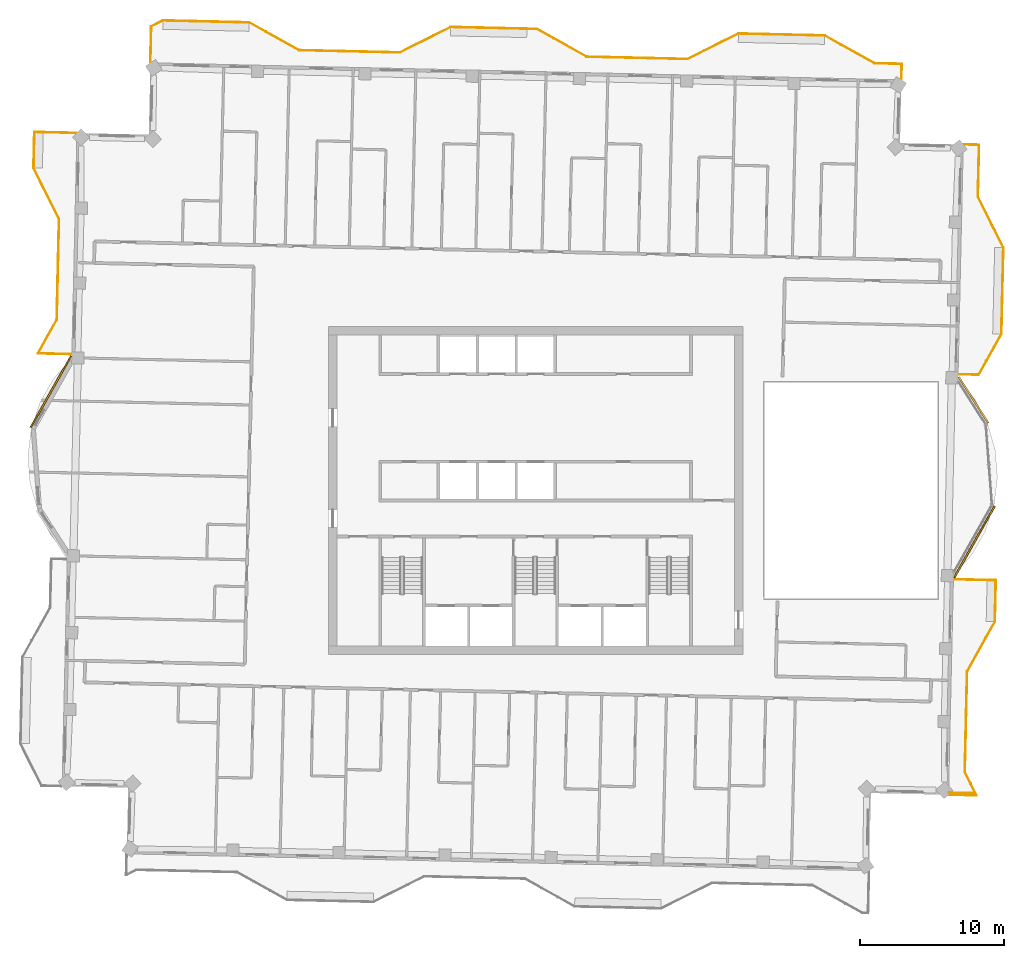
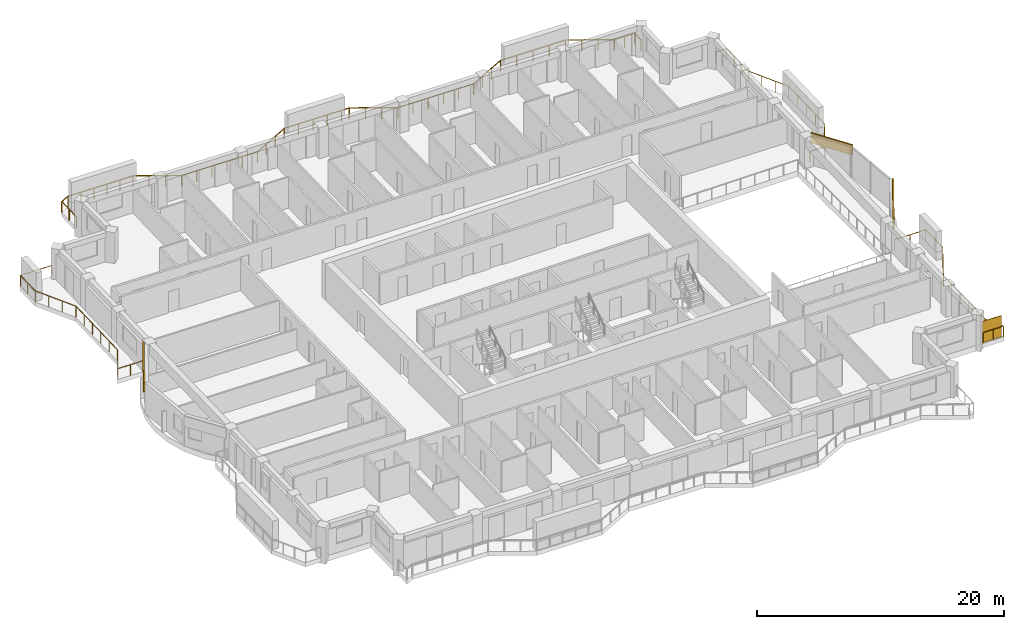
# One storey, part 15 of 15: 4 railings, 3 coverings, 1 shading device.
"""IFC4 building model written with IfcOpenShell, lengths in metres."""

from ifc_helpers import new_model, si_unit, direction, frame, frame_2d, origin, origin_2d, place, context, subcontext, project, spatial, rectangle, extrude, material, layer, layer_set, type_object, element, save


model = new_model("IFC4")

# Units and contexts
model_context = context("Model", 3, precision=1e-05, world=origin(), true_north=direction((0.0, 1.0)))
body_context = subcontext(model_context, "Body", "Model", "MODEL_VIEW")
ifc_project = project(units=[si_unit("LENGTHUNIT", "METRE"), si_unit("AREAUNIT", "SQUARE_METRE"), si_unit("VOLUMEUNIT", "CUBIC_METRE"), si_unit("PLANEANGLEUNIT", "RADIAN"), si_unit("MASSUNIT", "GRAM", prefix="KILO")], contexts=[model_context])

# Site, building, storey
site_placement = place(None, origin())
site = spatial("IfcSite", under=ifc_project, at=site_placement, CompositionType="ELEMENT")
building_placement = place(site_placement, origin())
building = spatial("IfcBuilding", under=site, at=building_placement, Name="Mangrove Gate Tower", CompositionType="ELEMENT")
storey_placement = place(building_placement, frame((0.0, 0.0, 320.5)))
storey = spatial("IfcBuildingStorey", under=building, at=storey_placement, Name="L82", CompositionType="ELEMENT", Elevation=320.5)

# Railings
ifc_material_1 = material(Name="Stainless steel grade 316 with laminated glass infill", Category="steel")
railing_type = type_object("IfcRailingType", Name="Balcony guard 1100", PredefinedType="GUARDRAIL", material=ifc_material_1)
railing_1_placement = place(storey_placement, frame((28.73095703125, -21.14404296875, 0.0)))
element("IfcRailing", 1, at=railing_1_placement, inside=storey, type_object=railing_type, Name="GUARD L82 E1", PredefinedType="GUARDRAIL", context=body_context, shape_type="SweptSolid", body=[
    extrude(rectangle(XDim=0.048095703125, YDim=0.048095703125, at=origin_2d()), frame((0.0, 0.0, 1.076171875), z_axis=(0.999745723365, -0.022549692082, 0.0), x_axis=(0.022549692082, 0.999745723365, 0.0)), (0.0, 0.0, 1.0), 1.905517578125),
    extrude(rectangle(XDim=0.048095703125, YDim=0.048095703125, at=origin_2d()), frame((1.905029296875, -0.04296875, 1.076171875), z_axis=(-0.44705171067, 0.894508115104, 0.0), x_axis=(-0.894508115104, -0.44705171067, 0.0)), (0.0, 0.0, 1.0), 1.809814453125),
    extrude(rectangle(XDim=0.048095703125, YDim=0.048095703125, at=origin_2d()), frame((1.095947265625, 1.575927734375, 1.076171875), z_axis=(0.022600979566, 0.999744565238, 0.0), x_axis=(-0.999744565238, 0.022600979566, 0.0)), (0.0, 0.0, 1.0), 6.999755859375),
    extrude(rectangle(XDim=0.048095703125, YDim=0.048095703125, at=origin_2d()), frame((1.254150390625, 8.573974609375, 1.076171875), z_axis=(0.48726008209, 0.87325689943, 0.0), x_axis=(-0.87325689943, 0.48726008209, 0.0)), (0.0, 0.0, 1.0), 3.958740234375),
    extrude(rectangle(XDim=0.048095703125, YDim=0.048095703125, at=origin_2d()), frame((3.18310546875, 12.031005859375, 1.076171875), z_axis=(0.022929749512, 0.99973707873, 0.0), x_axis=(-0.99973707873, 0.022929749512, 0.0)), (0.0, 0.0, 1.0), 2.874755859375),
    extrude(rectangle(XDim=0.048095703125, YDim=0.048095703125, at=origin_2d()), frame((3.2490234375, 14.905029296875, 1.076171875), z_axis=(-0.999743521605, 0.022647097142, 0.0), x_axis=(-0.022647097142, -0.999743521605, 0.0)), (0.0, 0.0, 1.0), 2.91064453125),
    extrude(rectangle(XDim=0.0419921875, YDim=0.0419921875, at=origin_2d()), origin(), (0.0, 0.0, 1.0), 1.052001953125),
    extrude(rectangle(XDim=0.0419921875, YDim=0.0419921875, at=origin_2d()), frame((0.95263671875, -0.021484375, 0.0)), (0.0, 0.0, 1.0), 1.052001953125),
    extrude(rectangle(XDim=0.0419921875, YDim=0.0419921875, at=origin_2d()), frame((1.905029296875, -0.04296875, 0.0)), (0.0, 0.0, 1.0), 1.052001953125),
    extrude(rectangle(XDim=0.0419921875, YDim=0.0419921875, at=origin_2d()), frame((1.50048828125, 0.7666015625, 0.0)), (0.0, 0.0, 1.0), 1.052001953125),
    extrude(rectangle(XDim=0.0419921875, YDim=0.0419921875, at=origin_2d()), frame((1.095947265625, 1.575927734375, 0.0)), (0.0, 0.0, 1.0), 1.052001953125),
    extrude(rectangle(XDim=0.0419921875, YDim=0.0419921875, at=origin_2d()), frame((1.127685546875, 2.9755859375, 0.0)), (0.0, 0.0, 1.0), 1.052001953125),
    extrude(rectangle(XDim=0.0419921875, YDim=0.0419921875, at=origin_2d()), frame((1.1591796875, 4.375244140625, 0.0)), (0.0, 0.0, 1.0), 1.052001953125),
    extrude(rectangle(XDim=0.0419921875, YDim=0.0419921875, at=origin_2d()), frame((1.19091796875, 5.774658203125, 0.0)), (0.0, 0.0, 1.0), 1.052001953125),
    extrude(rectangle(XDim=0.0419921875, YDim=0.0419921875, at=origin_2d()), frame((1.222412109375, 7.17431640625, 0.0)), (0.0, 0.0, 1.0), 1.052001953125),
    extrude(rectangle(XDim=0.0419921875, YDim=0.0419921875, at=origin_2d()), frame((1.254150390625, 8.573974609375, 0.0)), (0.0, 0.0, 1.0), 1.052001953125),
    extrude(rectangle(XDim=0.0419921875, YDim=0.0419921875, at=origin_2d()), frame((1.897216796875, 9.726318359375, 0.0)), (0.0, 0.0, 1.0), 1.052001953125),
    extrude(rectangle(XDim=0.0419921875, YDim=0.0419921875, at=origin_2d()), frame((2.5400390625, 10.878662109375, 0.0)), (0.0, 0.0, 1.0), 1.052001953125),
    extrude(rectangle(XDim=0.0419921875, YDim=0.0419921875, at=origin_2d()), frame((3.18310546875, 12.031005859375, 0.0)), (0.0, 0.0, 1.0), 1.052001953125),
    extrude(rectangle(XDim=0.0419921875, YDim=0.0419921875, at=origin_2d()), frame((3.216064453125, 13.468017578125, 0.0)), (0.0, 0.0, 1.0), 1.052001953125),
    extrude(rectangle(XDim=0.0419921875, YDim=0.0419921875, at=origin_2d()), frame((3.2490234375, 14.905029296875, 0.0)), (0.0, 0.0, 1.0), 1.052001953125),
    extrude(rectangle(XDim=0.0419921875, YDim=0.0419921875, at=origin_2d()), frame((1.7939453125, 14.93798828125, 0.0)), (0.0, 0.0, 1.0), 1.052001953125),
    extrude(rectangle(XDim=0.0419921875, YDim=0.0419921875, at=origin_2d()), frame((0.339111328125, 14.970947265625, 0.0)), (0.0, 0.0, 1.0), 1.052001953125),
])
railing_2_placement = place(storey_placement, frame((29.39404296875, 8.073974609375, 0.0)))
element("IfcRailing", 2, at=railing_2_placement, inside=storey, type_object=railing_type, Name="GUARD L82 E2", PredefinedType="GUARDRAIL", context=body_context, shape_type="SweptSolid", body=[
    extrude(rectangle(XDim=0.048095703125, YDim=0.048095703125, at=origin_2d()), frame((0.0, 0.0, 1.076171875), z_axis=(0.999735358589, -0.023004625325, 0.0), x_axis=(0.023004625325, 0.999735358589, 0.0)), (0.0, 0.0, 1.0), 1.390380859375),
    extrude(rectangle(XDim=0.048095703125, YDim=0.048095703125, at=origin_2d()), frame((1.389892578125, -0.031982421875, 1.076171875), z_axis=(0.487089238085, 0.873352205093, 0.0), x_axis=(-0.873352205093, 0.487089238085, 0.0)), (0.0, 0.0, 1.0), 3.251953125),
    extrude(rectangle(XDim=0.048095703125, YDim=0.048095703125, at=origin_2d()), frame((2.973876953125, 2.80810546875, 1.076171875), z_axis=(0.022666865795, 0.999743073592, 0.0), x_axis=(-0.999743073592, 0.022666865795, 0.0)), (0.0, 0.0, 1.0), 5.999267578125),
    extrude(rectangle(XDim=0.048095703125, YDim=0.048095703125, at=origin_2d()), frame((3.10986328125, 8.805908203125, 1.076171875), z_axis=(-0.447114919141, 0.894476522376, 0.0), x_axis=(-0.894476522376, -0.447114919141, 0.0)), (0.0, 0.0, 1.0), 3.958740234375),
    extrude(rectangle(XDim=0.048095703125, YDim=0.048095703125, at=origin_2d()), frame((1.33984375, 12.346923828125, 1.076171875), z_axis=(0.02278610514, 0.999740363001, 0.0), x_axis=(-0.999740363001, 0.02278610514, 0.0)), (0.0, 0.0, 1.0), 3.60009765625),
    extrude(rectangle(XDim=0.048095703125, YDim=0.048095703125, at=origin_2d()), frame((1.421875, 15.946044921875, 1.076171875), z_axis=(-0.999745272039, 0.02256969285, 0.0), x_axis=(-0.02256969285, -0.999745272039, 0.0)), (0.0, 0.0, 1.0), 1.06005859375),
    extrude(rectangle(XDim=0.0419921875, YDim=0.0419921875, at=origin_2d()), origin(), (0.0, 0.0, 1.0), 1.052001953125),
    extrude(rectangle(XDim=0.0419921875, YDim=0.0419921875, at=origin_2d()), frame((1.389892578125, -0.031982421875, 0.0)), (0.0, 0.0, 1.0), 1.052001953125),
    extrude(rectangle(XDim=0.0419921875, YDim=0.0419921875, at=origin_2d()), frame((1.91796875, 0.914794921875, 0.0)), (0.0, 0.0, 1.0), 1.052001953125),
    extrude(rectangle(XDim=0.0419921875, YDim=0.0419921875, at=origin_2d()), frame((2.44580078125, 1.861328125, 0.0)), (0.0, 0.0, 1.0), 1.052001953125),
    extrude(rectangle(XDim=0.0419921875, YDim=0.0419921875, at=origin_2d()), frame((2.973876953125, 2.80810546875, 0.0)), (0.0, 0.0, 1.0), 1.052001953125),
    extrude(rectangle(XDim=0.0419921875, YDim=0.0419921875, at=origin_2d()), frame((3.0078125, 4.3076171875, 0.0)), (0.0, 0.0, 1.0), 1.052001953125),
    extrude(rectangle(XDim=0.0419921875, YDim=0.0419921875, at=origin_2d()), frame((3.0419921875, 5.80712890625, 0.0)), (0.0, 0.0, 1.0), 1.052001953125),
    extrude(rectangle(XDim=0.0419921875, YDim=0.0419921875, at=origin_2d()), frame((3.075927734375, 7.306396484375, 0.0)), (0.0, 0.0, 1.0), 1.052001953125),
    extrude(rectangle(XDim=0.0419921875, YDim=0.0419921875, at=origin_2d()), frame((3.10986328125, 8.805908203125, 0.0)), (0.0, 0.0, 1.0), 1.052001953125),
    extrude(rectangle(XDim=0.0419921875, YDim=0.0419921875, at=origin_2d()), frame((2.519775390625, 9.986328125, 0.0)), (0.0, 0.0, 1.0), 1.052001953125),
    extrude(rectangle(XDim=0.0419921875, YDim=0.0419921875, at=origin_2d()), frame((1.929931640625, 11.16650390625, 0.0)), (0.0, 0.0, 1.0), 1.052001953125),
    extrude(rectangle(XDim=0.0419921875, YDim=0.0419921875, at=origin_2d()), frame((1.33984375, 12.346923828125, 0.0)), (0.0, 0.0, 1.0), 1.052001953125),
    extrude(rectangle(XDim=0.0419921875, YDim=0.0419921875, at=origin_2d()), frame((1.3671875, 13.546630859375, 0.0)), (0.0, 0.0, 1.0), 1.052001953125),
    extrude(rectangle(XDim=0.0419921875, YDim=0.0419921875, at=origin_2d()), frame((1.39453125, 14.746337890625, 0.0)), (0.0, 0.0, 1.0), 1.052001953125),
    extrude(rectangle(XDim=0.0419921875, YDim=0.0419921875, at=origin_2d()), frame((1.421875, 15.946044921875, 0.0)), (0.0, 0.0, 1.0), 1.052001953125),
    extrude(rectangle(XDim=0.0419921875, YDim=0.0419921875, at=origin_2d()), frame((0.362060546875, 15.969970703125, 0.0)), (0.0, 0.0, 1.0), 1.052001953125),
])
railing_3_placement = place(storey_placement, frame((25.41796875, 28.583984375, 0.0)))
element("IfcRailing", 3, at=railing_3_placement, inside=storey, type_object=railing_type, Name="GUARD L82 N1", PredefinedType="GUARDRAIL", context=body_context, shape_type="SweptSolid", body=[
    extrude(rectangle(XDim=0.048095703125, YDim=0.048095703125, at=origin_2d()), frame((0.0, 0.0, 1.076171875), z_axis=(0.022564497502, 0.999745389313, 0.0), x_axis=(-0.999745389313, 0.022564497502, 0.0)), (0.0, 0.0, 1.0), 1.060302734375),
    extrude(rectangle(XDim=0.048095703125, YDim=0.048095703125, at=origin_2d()), frame((0.02392578125, 1.06005859375, 1.076171875), z_axis=(-0.999744349692, 0.022610512149, 0.0), x_axis=(-0.022610512149, -0.999744349692, 0.0)), (0.0, 0.0, 1.0), 1.900390625),
    extrude(rectangle(XDim=0.048095703125, YDim=0.048095703125, at=origin_2d()), frame((-1.8759765625, 1.10302734375, 1.076171875), z_axis=(-0.87325689943, 0.48726008209, 0.0), x_axis=(-0.48726008209, -0.87325689943, 0.0)), (0.0, 0.0, 1.0), 3.958740234375),
    extrude(rectangle(XDim=0.048095703125, YDim=0.048095703125, at=origin_2d()), frame((-5.3330078125, 3.031982421875, 1.076171875), z_axis=(-0.999743094499, 0.022665943652, 0.0), x_axis=(-0.022665943652, -0.999743094499, 0.0)), (0.0, 0.0, 1.0), 5.99951171875),
    extrude(rectangle(XDim=0.048095703125, YDim=0.048095703125, at=origin_2d()), frame((-11.3310546875, 3.16796875, 1.076171875), z_axis=(-0.894476522376, -0.447114919141, 0.0), x_axis=(0.447114919141, -0.894476522376, 0.0)), (0.0, 0.0, 1.0), 3.958740234375),
    extrude(rectangle(XDim=0.048095703125, YDim=0.048095703125, at=origin_2d()), frame((-14.8720703125, 1.39794921875, 1.076171875), z_axis=(-0.999741385179, 0.022741212823, 0.0), x_axis=(-0.022741212823, -0.999741385179, 0.0)), (0.0, 0.0, 1.0), 6.99951171875),
    extrude(rectangle(XDim=0.048095703125, YDim=0.048095703125, at=origin_2d()), frame((-21.869873046875, 1.55712890625, 1.076171875), z_axis=(-0.873420366986, 0.486967003537, 0.0), x_axis=(-0.486967003537, -0.873420366986, 0.0)), (0.0, 0.0, 1.0), 3.959228515625),
    extrude(rectangle(XDim=0.048095703125, YDim=0.048095703125, at=origin_2d()), frame((-25.327880859375, 3.485107421875, 1.076171875), z_axis=(-0.999742376089, 0.022697608958, 0.0), x_axis=(-0.022697608958, -0.999742376089, 0.0)), (0.0, 0.0, 1.0), 0.69921875),
    extrude(rectangle(XDim=0.048095703125, YDim=0.048095703125, at=origin_2d()), frame((-26.02685546875, 3.5009765625, 1.076171875), z_axis=(-0.999738998067, 0.022845913063, 0.0), x_axis=(-0.022845913063, -0.999738998067, 0.0)), (0.0, 0.0, 1.0), 5.300537109375),
    extrude(rectangle(XDim=0.048095703125, YDim=0.048095703125, at=origin_2d()), frame((-31.325927734375, 3.6220703125, 1.076171875), z_axis=(-0.894377854182, -0.447312255532, 0.0), x_axis=(0.447312255532, -0.894377854182, 0.0)), (0.0, 0.0, 1.0), 3.959228515625),
    extrude(rectangle(XDim=0.048095703125, YDim=0.048095703125, at=origin_2d()), frame((-34.866943359375, 1.85107421875, 1.076171875), z_axis=(-0.999742195543, 0.022705559911, 0.0), x_axis=(-0.022705559911, -0.999742195543, 0.0)), (0.0, 0.0, 1.0), 6.999755859375),
    extrude(rectangle(XDim=0.048095703125, YDim=0.048095703125, at=origin_2d()), frame((-41.864990234375, 2.010009765625, 1.076171875), z_axis=(-0.87325689943, 0.48726008209, 0.0), x_axis=(-0.48726008209, -0.87325689943, 0.0)), (0.0, 0.0, 1.0), 3.958740234375),
    extrude(rectangle(XDim=0.048095703125, YDim=0.048095703125, at=origin_2d()), frame((-45.322021484375, 3.93896484375, 1.076171875), z_axis=(-0.999743178102, 0.022662255828, 0.0), x_axis=(-0.022662255828, -0.999743178102, 0.0)), (0.0, 0.0, 1.0), 6.00048828125),
    extrude(rectangle(XDim=0.048095703125, YDim=0.048095703125, at=origin_2d()), frame((-51.321044921875, 4.074951171875, 1.076171875), z_axis=(-0.89458914664, -0.446889537485, 0.0), x_axis=(0.446889537485, -0.89458914664, 0.0)), (0.0, 0.0, 1.0), 0.904052734375),
    extrude(rectangle(XDim=0.048095703125, YDim=0.048095703125, at=origin_2d()), frame((-52.1298828125, 3.6708984375, 1.076171875), z_axis=(-0.022574257693, -0.999745168975, 0.0), x_axis=(0.999745168975, -0.022574257693, 0.0)), (0.0, 0.0, 1.0), 2.487548828125),
    extrude(rectangle(XDim=0.0419921875, YDim=0.0419921875, at=origin_2d()), origin(), (0.0, 0.0, 1.0), 1.052001953125),
    extrude(rectangle(XDim=0.0419921875, YDim=0.0419921875, at=origin_2d()), frame((0.02392578125, 1.06005859375, 0.0)), (0.0, 0.0, 1.0), 1.052001953125),
    extrude(rectangle(XDim=0.0419921875, YDim=0.0419921875, at=origin_2d()), frame((-0.926025390625, 1.08154296875, 0.0)), (0.0, 0.0, 1.0), 1.052001953125),
    extrude(rectangle(XDim=0.0419921875, YDim=0.0419921875, at=origin_2d()), frame((-1.8759765625, 1.10302734375, 0.0)), (0.0, 0.0, 1.0), 1.052001953125),
    extrude(rectangle(XDim=0.0419921875, YDim=0.0419921875, at=origin_2d()), frame((-3.0283203125, 1.74609375, 0.0)), (0.0, 0.0, 1.0), 1.052001953125),
    extrude(rectangle(XDim=0.0419921875, YDim=0.0419921875, at=origin_2d()), frame((-4.1806640625, 2.388916015625, 0.0)), (0.0, 0.0, 1.0), 1.052001953125),
    extrude(rectangle(XDim=0.0419921875, YDim=0.0419921875, at=origin_2d()), frame((-5.3330078125, 3.031982421875, 0.0)), (0.0, 0.0, 1.0), 1.052001953125),
    extrude(rectangle(XDim=0.0419921875, YDim=0.0419921875, at=origin_2d()), frame((-6.83251953125, 3.06591796875, 0.0)), (0.0, 0.0, 1.0), 1.052001953125),
    extrude(rectangle(XDim=0.0419921875, YDim=0.0419921875, at=origin_2d()), frame((-8.33203125, 3.10009765625, 0.0)), (0.0, 0.0, 1.0), 1.052001953125),
    extrude(rectangle(XDim=0.0419921875, YDim=0.0419921875, at=origin_2d()), frame((-9.83154296875, 3.134033203125, 0.0)), (0.0, 0.0, 1.0), 1.052001953125),
    extrude(rectangle(XDim=0.0419921875, YDim=0.0419921875, at=origin_2d()), frame((-11.3310546875, 3.16796875, 0.0)), (0.0, 0.0, 1.0), 1.052001953125),
    extrude(rectangle(XDim=0.0419921875, YDim=0.0419921875, at=origin_2d()), frame((-12.511474609375, 2.577880859375, 0.0)), (0.0, 0.0, 1.0), 1.052001953125),
    extrude(rectangle(XDim=0.0419921875, YDim=0.0419921875, at=origin_2d()), frame((-13.691650390625, 1.988037109375, 0.0)), (0.0, 0.0, 1.0), 1.052001953125),
    extrude(rectangle(XDim=0.0419921875, YDim=0.0419921875, at=origin_2d()), frame((-14.8720703125, 1.39794921875, 0.0)), (0.0, 0.0, 1.0), 1.052001953125),
    extrude(rectangle(XDim=0.0419921875, YDim=0.0419921875, at=origin_2d()), frame((-16.271728515625, 1.4296875, 0.0)), (0.0, 0.0, 1.0), 1.052001953125),
    extrude(rectangle(XDim=0.0419921875, YDim=0.0419921875, at=origin_2d()), frame((-17.671142578125, 1.461669921875, 0.0)), (0.0, 0.0, 1.0), 1.052001953125),
    extrude(rectangle(XDim=0.0419921875, YDim=0.0419921875, at=origin_2d()), frame((-19.07080078125, 1.493408203125, 0.0)), (0.0, 0.0, 1.0), 1.052001953125),
    extrude(rectangle(XDim=0.0419921875, YDim=0.0419921875, at=origin_2d()), frame((-20.47021484375, 1.525390625, 0.0)), (0.0, 0.0, 1.0), 1.052001953125),
    extrude(rectangle(XDim=0.0419921875, YDim=0.0419921875, at=origin_2d()), frame((-21.869873046875, 1.55712890625, 0.0)), (0.0, 0.0, 1.0), 1.052001953125),
    extrude(rectangle(XDim=0.0419921875, YDim=0.0419921875, at=origin_2d()), frame((-23.0224609375, 2.19970703125, 0.0)), (0.0, 0.0, 1.0), 1.052001953125),
    extrude(rectangle(XDim=0.0419921875, YDim=0.0419921875, at=origin_2d()), frame((-24.17529296875, 2.842529296875, 0.0)), (0.0, 0.0, 1.0), 1.052001953125),
    extrude(rectangle(XDim=0.0419921875, YDim=0.0419921875, at=origin_2d()), frame((-25.327880859375, 3.485107421875, 0.0)), (0.0, 0.0, 1.0), 1.052001953125),
    extrude(rectangle(XDim=0.0419921875, YDim=0.0419921875, at=origin_2d()), frame((-26.02685546875, 3.5009765625, 0.0)), (0.0, 0.0, 1.0), 1.052001953125),
    extrude(rectangle(XDim=0.0419921875, YDim=0.0419921875, at=origin_2d()), frame((-27.3515625, 3.53125, 0.0)), (0.0, 0.0, 1.0), 1.052001953125),
    extrude(rectangle(XDim=0.0419921875, YDim=0.0419921875, at=origin_2d()), frame((-28.67626953125, 3.5615234375, 0.0)), (0.0, 0.0, 1.0), 1.052001953125),
    extrude(rectangle(XDim=0.0419921875, YDim=0.0419921875, at=origin_2d()), frame((-30.001220703125, 3.591796875, 0.0)), (0.0, 0.0, 1.0), 1.052001953125),
    extrude(rectangle(XDim=0.0419921875, YDim=0.0419921875, at=origin_2d()), frame((-31.325927734375, 3.6220703125, 0.0)), (0.0, 0.0, 1.0), 1.052001953125),
    extrude(rectangle(XDim=0.0419921875, YDim=0.0419921875, at=origin_2d()), frame((-32.50634765625, 3.03173828125, 0.0)), (0.0, 0.0, 1.0), 1.052001953125),
    extrude(rectangle(XDim=0.0419921875, YDim=0.0419921875, at=origin_2d()), frame((-33.6865234375, 2.44140625, 0.0)), (0.0, 0.0, 1.0), 1.052001953125),
    extrude(rectangle(XDim=0.0419921875, YDim=0.0419921875, at=origin_2d()), frame((-34.866943359375, 1.85107421875, 0.0)), (0.0, 0.0, 1.0), 1.052001953125),
    extrude(rectangle(XDim=0.0419921875, YDim=0.0419921875, at=origin_2d()), frame((-36.2666015625, 1.8828125, 0.0)), (0.0, 0.0, 1.0), 1.052001953125),
    extrude(rectangle(XDim=0.0419921875, YDim=0.0419921875, at=origin_2d()), frame((-37.666259765625, 1.91455078125, 0.0)), (0.0, 0.0, 1.0), 1.052001953125),
    extrude(rectangle(XDim=0.0419921875, YDim=0.0419921875, at=origin_2d()), frame((-39.065673828125, 1.946533203125, 0.0)), (0.0, 0.0, 1.0), 1.052001953125),
    extrude(rectangle(XDim=0.0419921875, YDim=0.0419921875, at=origin_2d()), frame((-40.46533203125, 1.978271484375, 0.0)), (0.0, 0.0, 1.0), 1.052001953125),
    extrude(rectangle(XDim=0.0419921875, YDim=0.0419921875, at=origin_2d()), frame((-41.864990234375, 2.010009765625, 0.0)), (0.0, 0.0, 1.0), 1.052001953125),
    extrude(rectangle(XDim=0.0419921875, YDim=0.0419921875, at=origin_2d()), frame((-43.017333984375, 2.653076171875, 0.0)), (0.0, 0.0, 1.0), 1.052001953125),
    extrude(rectangle(XDim=0.0419921875, YDim=0.0419921875, at=origin_2d()), frame((-44.169677734375, 3.2958984375, 0.0)), (0.0, 0.0, 1.0), 1.052001953125),
    extrude(rectangle(XDim=0.0419921875, YDim=0.0419921875, at=origin_2d()), frame((-45.322021484375, 3.93896484375, 0.0)), (0.0, 0.0, 1.0), 1.052001953125),
    extrude(rectangle(XDim=0.0419921875, YDim=0.0419921875, at=origin_2d()), frame((-46.521728515625, 3.966064453125, 0.0)), (0.0, 0.0, 1.0), 1.052001953125),
    extrude(rectangle(XDim=0.0419921875, YDim=0.0419921875, at=origin_2d()), frame((-47.7216796875, 3.993408203125, 0.0)), (0.0, 0.0, 1.0), 1.052001953125),
    extrude(rectangle(XDim=0.0419921875, YDim=0.0419921875, at=origin_2d()), frame((-48.92138671875, 4.0205078125, 0.0)), (0.0, 0.0, 1.0), 1.052001953125),
    extrude(rectangle(XDim=0.0419921875, YDim=0.0419921875, at=origin_2d()), frame((-50.121337890625, 4.0478515625, 0.0)), (0.0, 0.0, 1.0), 1.052001953125),
    extrude(rectangle(XDim=0.0419921875, YDim=0.0419921875, at=origin_2d()), frame((-51.321044921875, 4.074951171875, 0.0)), (0.0, 0.0, 1.0), 1.052001953125),
    extrude(rectangle(XDim=0.0419921875, YDim=0.0419921875, at=origin_2d()), frame((-52.1298828125, 3.6708984375, 0.0)), (0.0, 0.0, 1.0), 1.052001953125),
    extrude(rectangle(XDim=0.0419921875, YDim=0.0419921875, at=origin_2d()), frame((-52.157958984375, 2.427490234375, 0.0)), (0.0, 0.0, 1.0), 1.052001953125),
    extrude(rectangle(XDim=0.0419921875, YDim=0.0419921875, at=origin_2d()), frame((-52.18603515625, 1.18408203125, 0.0)), (0.0, 0.0, 1.0), 1.052001953125),
])
railing_4_placement = place(storey_placement, frame((-31.922119140625, 24.843994140625, 0.0)))
element("IfcRailing", 4, at=railing_4_placement, inside=storey, type_object=railing_type, Name="GUARD L82 W1", PredefinedType="GUARDRAIL", context=body_context, shape_type="SweptSolid", body=[
    extrude(rectangle(XDim=0.048095703125, YDim=0.048095703125, at=origin_2d()), frame((0.0, 0.0, 1.076171875), z_axis=(-0.999743349437, 0.022654696127, 0.0), x_axis=(-0.022654696127, -0.999743349437, 0.0)), (0.0, 0.0, 1.0), 2.90966796875),
    extrude(rectangle(XDim=0.048095703125, YDim=0.048095703125, at=origin_2d()), frame((-2.908935546875, 0.06591796875, 1.076171875), z_axis=(-0.02274801823, -0.999741230352, 0.0), x_axis=(0.999741230352, -0.02274801823, 0.0)), (0.0, 0.0, 1.0), 2.500732421875),
    extrude(rectangle(XDim=0.048095703125, YDim=0.048095703125, at=origin_2d()), frame((-2.9658203125, -2.43408203125, 1.076171875), z_axis=(0.447312255532, -0.894377854182, 0.0), x_axis=(0.894377854182, 0.447312255532, 0.0)), (0.0, 0.0, 1.0), 3.959228515625),
    extrude(rectangle(XDim=0.048095703125, YDim=0.048095703125, at=origin_2d()), frame((-1.19482421875, -5.97509765625, 1.076171875), z_axis=(-0.022706351659, -0.999742177561, 0.0), x_axis=(0.999742177561, -0.022706351659, 0.0)), (0.0, 0.0, 1.0), 6.99951171875),
    extrude(rectangle(XDim=0.048095703125, YDim=0.048095703125, at=origin_2d()), frame((-1.353759765625, -12.972900390625, 1.076171875), z_axis=(-0.487401618929, -0.87317790963, 0.0), x_axis=(0.87317790963, -0.487401618929, 0.0)), (0.0, 0.0, 1.0), 2.685791015625),
    extrude(rectangle(XDim=0.048095703125, YDim=0.048095703125, at=origin_2d()), frame((-2.662841796875, -15.318115234375, 1.076171875), z_axis=(0.999738230516, -0.022879476484, 0.0), x_axis=(0.022879476484, 0.999738230516, 0.0)), (0.0, 0.0, 1.0), 2.3154296875),
    extrude(rectangle(XDim=0.0419921875, YDim=0.0419921875, at=origin_2d()), origin(), (0.0, 0.0, 1.0), 1.052001953125),
    extrude(rectangle(XDim=0.0419921875, YDim=0.0419921875, at=origin_2d()), frame((-1.45458984375, 0.032958984375, 0.0)), (0.0, 0.0, 1.0), 1.052001953125),
    extrude(rectangle(XDim=0.0419921875, YDim=0.0419921875, at=origin_2d()), frame((-2.908935546875, 0.06591796875, 0.0)), (0.0, 0.0, 1.0), 1.052001953125),
    extrude(rectangle(XDim=0.0419921875, YDim=0.0419921875, at=origin_2d()), frame((-2.9375, -1.18408203125, 0.0)), (0.0, 0.0, 1.0), 1.052001953125),
    extrude(rectangle(XDim=0.0419921875, YDim=0.0419921875, at=origin_2d()), frame((-2.9658203125, -2.43408203125, 0.0)), (0.0, 0.0, 1.0), 1.052001953125),
    extrude(rectangle(XDim=0.0419921875, YDim=0.0419921875, at=origin_2d()), frame((-2.37548828125, -3.614501953125, 0.0)), (0.0, 0.0, 1.0), 1.052001953125),
    extrude(rectangle(XDim=0.0419921875, YDim=0.0419921875, at=origin_2d()), frame((-1.78515625, -4.794677734375, 0.0)), (0.0, 0.0, 1.0), 1.052001953125),
    extrude(rectangle(XDim=0.0419921875, YDim=0.0419921875, at=origin_2d()), frame((-1.19482421875, -5.97509765625, 0.0)), (0.0, 0.0, 1.0), 1.052001953125),
    extrude(rectangle(XDim=0.0419921875, YDim=0.0419921875, at=origin_2d()), frame((-1.2265625, -7.374755859375, 0.0)), (0.0, 0.0, 1.0), 1.052001953125),
    extrude(rectangle(XDim=0.0419921875, YDim=0.0419921875, at=origin_2d()), frame((-1.25830078125, -8.774169921875, 0.0)), (0.0, 0.0, 1.0), 1.052001953125),
    extrude(rectangle(XDim=0.0419921875, YDim=0.0419921875, at=origin_2d()), frame((-1.290283203125, -10.173828125, 0.0)), (0.0, 0.0, 1.0), 1.052001953125),
    extrude(rectangle(XDim=0.0419921875, YDim=0.0419921875, at=origin_2d()), frame((-1.322021484375, -11.5732421875, 0.0)), (0.0, 0.0, 1.0), 1.052001953125),
    extrude(rectangle(XDim=0.0419921875, YDim=0.0419921875, at=origin_2d()), frame((-1.353759765625, -12.972900390625, 0.0)), (0.0, 0.0, 1.0), 1.052001953125),
    extrude(rectangle(XDim=0.0419921875, YDim=0.0419921875, at=origin_2d()), frame((-2.00830078125, -14.1455078125, 0.0)), (0.0, 0.0, 1.0), 1.052001953125),
    extrude(rectangle(XDim=0.0419921875, YDim=0.0419921875, at=origin_2d()), frame((-2.662841796875, -15.318115234375, 0.0)), (0.0, 0.0, 1.0), 1.052001953125),
    extrude(rectangle(XDim=0.0419921875, YDim=0.0419921875, at=origin_2d()), frame((-1.50537109375, -15.3447265625, 0.0)), (0.0, 0.0, 1.0), 1.052001953125),
    extrude(rectangle(XDim=0.0419921875, YDim=0.0419921875, at=origin_2d()), frame((-0.347900390625, -15.37109375, 0.0)), (0.0, 0.0, 1.0), 1.052001953125),
])

# Shading device
ifc_material_2 = material(Name="Timber slat screen in teak", Category="wood")
shading_device_type = type_object("IfcShadingDeviceType", Name="Balcony screen 2100", PredefinedType="USERDEFINED", material=ifc_material_2)
shading_device_placement = place(storey_placement, frame((29.60693359375, -21.02392578125, 0.0), z_axis=(0.0, 0.0, 1.0), x_axis=(0.999743005139, -0.022669884769, 0.0)))
element("IfcShadingDevice", 5, at=shading_device_placement, inside=storey, type_object=shading_device_type, Name="SCREEN L82 E0", ObjectType="SCREEN", PredefinedType="USERDEFINED", context=body_context, shape_type="SweptSolid", body=[
    extrude(rectangle(XDim=1.785888671875, YDim=0.050048828125, at=origin_2d()), origin(), (0.0, 0.0, 1.0), 2.10009765625),
])

# Coverings
ifc_material_3 = material(Name="Limestone", Category="masonry")
ifc_layer_1 = layer(ifc_material_3, 0.0400390625, Name="Limestone cladding")
ifc_material_4 = material(Name="Stainless steel anchors and cavity", Category="steel")
ifc_layer_2 = layer(ifc_material_4, 0.080078125, Name="Fixing cavity")
ifc_layer_set = layer_set([ifc_layer_1, ifc_layer_2], Name="Joint fascia cladding 120")
covering_type = type_object("IfcCoveringType", Name="Joint fascia cladding 120", PredefinedType="CLADDING", material=ifc_layer_set)
covering_1_placement = place(storey_placement, frame((29.083740234375, -6.0478515625, 2.050048828125), z_axis=(0.0, 0.0, 1.0), x_axis=(0.492470399093, 0.870329194051, 0.0)))
element("IfcCovering", 6, at=covering_1_placement, inside=storey, type_object=covering_type, Name="STONE FASCIA L82 E1.L1", PredefinedType="CLADDING", context=body_context, shape_type="SweptSolid", body=[
    extrude(rectangle(XDim=5.70458984375, YDim=0.1201171875, at=frame_2d((2.852294921875, 0.0))), origin(), (0.0, 0.0, 1.0), 1.0),
])
covering_2_placement = place(storey_placement, frame((31.4580078125, 4.69091796875, 2.050048828125), z_axis=(0.0, 0.0, 1.0), x_axis=(-0.540573367362, 0.841296876554, 0.0)))
element("IfcCovering", 7, at=covering_2_placement, inside=storey, type_object=covering_type, Name="STONE FASCIA L82 E1.L2", PredefinedType="CLADDING", context=body_context, shape_type="SweptSolid", body=[
    extrude(rectangle(XDim=3.818115234375, YDim=0.1201171875, at=frame_2d((1.9091796875, 0.0))), origin(), (0.0, 0.0, 1.0), 1.0),
])
covering_3_placement = place(storey_placement, frame((-32.28369140625, 9.347900390625, 2.050048828125), z_axis=(0.0, 0.0, 1.0), x_axis=(-0.492470399093, -0.870329194051, 0.0)))
element("IfcCovering", 8, at=covering_3_placement, inside=storey, type_object=covering_type, Name="STONE FASCIA L82 W9.L1", PredefinedType="CLADDING", context=body_context, shape_type="SweptSolid", body=[
    extrude(rectangle(XDim=5.70458984375, YDim=0.1201171875, at=frame_2d((2.852294921875, 0.0))), origin(), (0.0, 0.0, 1.0), 1.0),
])

save(model, "model.ifc")
